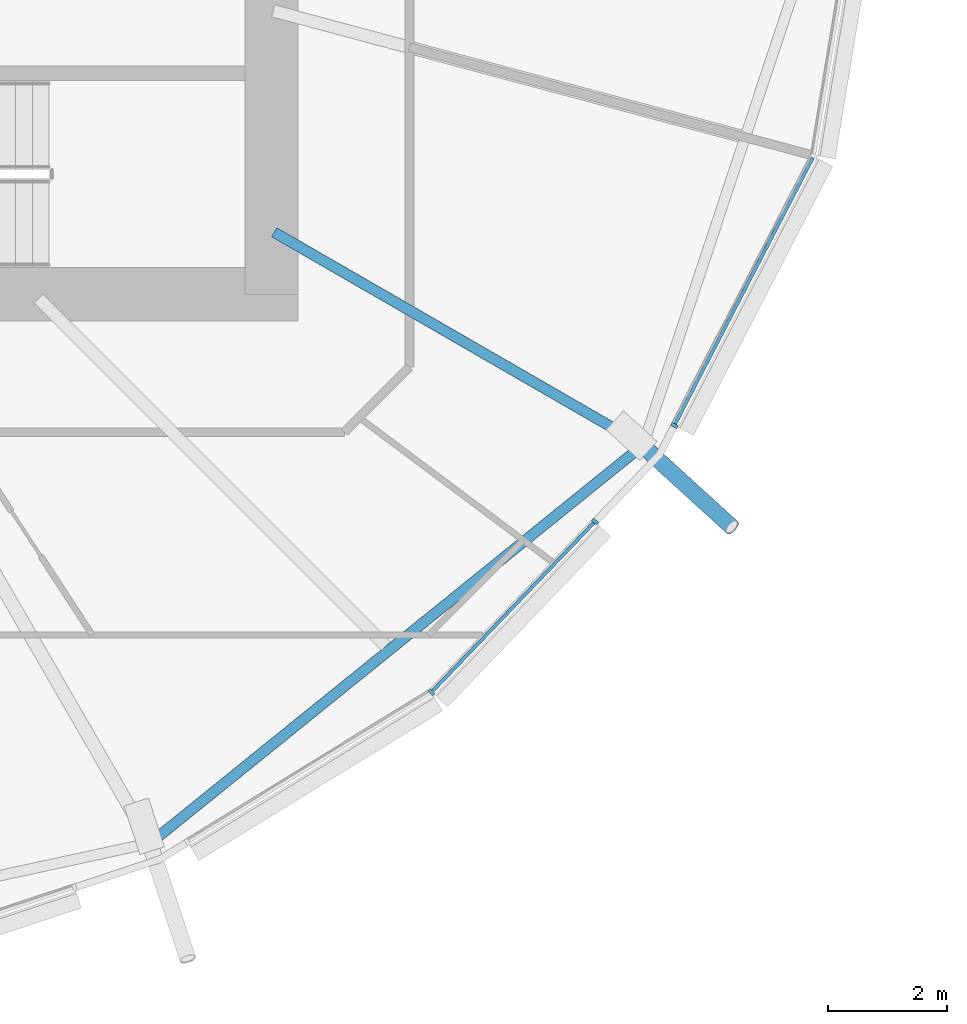
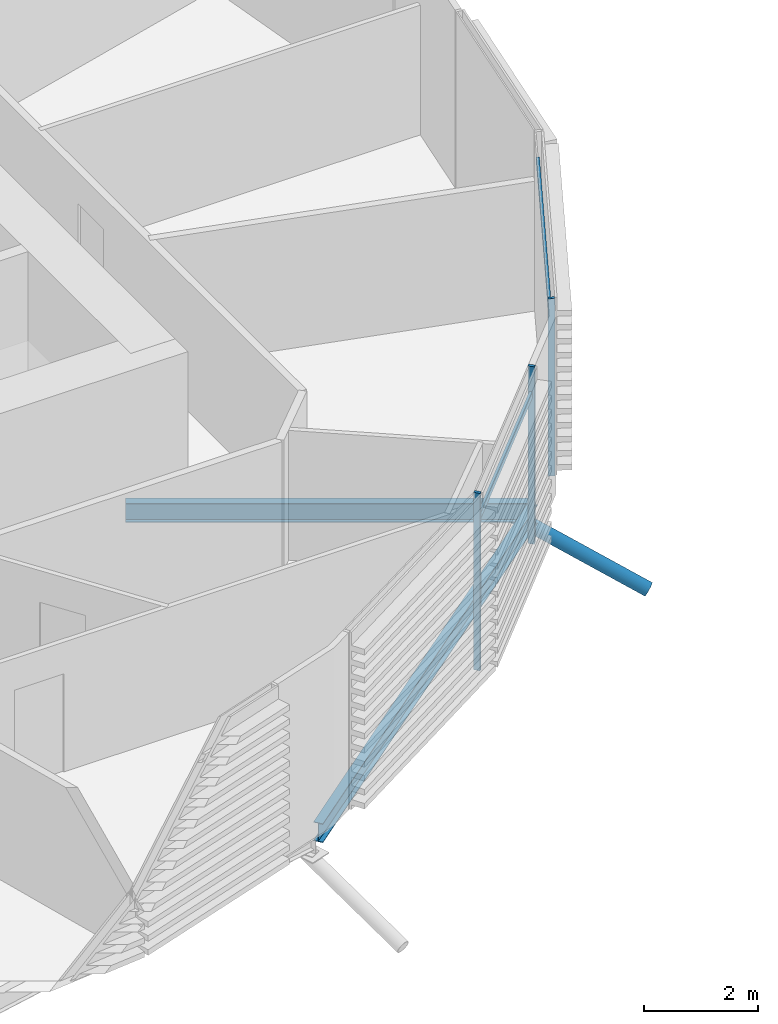
# One storey, part 6 of 36: 6 members, 2 beams, 1 element without a shape of its own.
"""IFC4 building model written with IfcOpenShell, lengths in metres."""

from ifc_helpers import new_model, si_unit, direction, frame, origin, origin_2d, place, context, subcontext, project, spatial, rectangle, hollow_circle, i_section, extrude, clip, halfspace, material, material_profile, profile_set, type_object, element, aggregate, save


model = new_model("IFC4")

# Units and contexts
model_context = context("Model", 3, precision=1e-05, world=origin(), true_north=direction((0.0, 1.0)))
body_context = subcontext(model_context, "Body", "Model", "MODEL_VIEW")
ifc_project = project(units=[si_unit("LENGTHUNIT", "METRE"), si_unit("AREAUNIT", "SQUARE_METRE"), si_unit("VOLUMEUNIT", "CUBIC_METRE"), si_unit("PLANEANGLEUNIT", "RADIAN"), si_unit("MASSUNIT", "GRAM", prefix="KILO")], contexts=[model_context])

# Site, building, storey
site_placement = place(None, origin())
site = spatial("IfcSite", under=ifc_project, at=site_placement, CompositionType="ELEMENT")
building_placement = place(site_placement, origin())
building = spatial("IfcBuilding", under=site, at=building_placement, Name="Rimbun Link Towers", CompositionType="ELEMENT")
storey_placement = place(building_placement, frame((0.0, 0.0, 33.800048828125)))
storey = spatial("IfcBuildingStorey", under=building, at=storey_placement, Name="L07", CompositionType="ELEMENT", Elevation=33.800048828125)

# Curtain wall, members
ifc_material_1 = material(Name="Aluminium 6063-T6 and low-iron glass", Category="aluminium")
curtain_wall_type = type_object("IfcCurtainWallType", Name="CW1 unitised vision wall", PredefinedType="NOTDEFINED", material=ifc_material_1)
curtain_wall_placement = place(storey_placement, origin())
curtain_wall = element("IfcCurtainWall", 1, at=curtain_wall_placement, inside=storey, type_object=curtain_wall_type, Name="CW1 L07 T1", PredefinedType="NOTDEFINED")
ifc_material_2 = material(Name="Aluminium 6063-T6", Category="aluminium")
ifc_material_profile_1 = material_profile(ifc_material_2, rectangle(XDim=0.1201171875, YDim=0.06005859375, at=origin_2d()), Name="MULLION 60X120")
ifc_profile_set_1 = profile_set([ifc_material_profile_1], Name="Aluminium 6063-T6")
member_type_1 = type_object("IfcMemberType", Name="CW1 mullion 60X120", PredefinedType="MULLION", material=ifc_profile_set_1)
member_1_placement = place(storey_placement, frame((-17.051513671875, -14.70751953125, 0.0), z_axis=(0.0, 0.0, 1.0), x_axis=(0.627666129139, -0.778482646134, 0.0)))
member_1 = element("IfcMember", 2, at=member_1_placement, type_object=member_type_1, Name="CW1 mullion", PredefinedType="MULLION", context=body_context, shape_type="SweptSolid", body=[
    extrude(rectangle(XDim=0.1201171875, YDim=0.06005859375, at=origin_2d()), origin(), (0.0, 0.0, 1.0), 3.800048828125),
])
member_2_placement = place(storey_placement, frame((-14.294677734375, -11.83251953125, 0.0), z_axis=(0.0, 0.0, 1.0), x_axis=(0.721844292424, -0.692055501744, 0.0)))
member_2 = element("IfcMember", 3, at=member_2_placement, type_object=member_type_1, Name="CW1 mullion", PredefinedType="MULLION", context=body_context, shape_type="SweptSolid", body=[
    extrude(rectangle(XDim=0.1201171875, YDim=0.06005859375, at=origin_2d()), origin(), (0.0, 0.0, 1.0), 3.800048828125),
])
member_3_placement = place(storey_placement, frame((-12.959228515625, -10.211181640625, 0.0), z_axis=(0.0, 0.0, 1.0), x_axis=(0.888152693678, -0.459548466118, 0.0)))
member_3 = element("IfcMember", 4, at=member_3_placement, type_object=member_type_1, Name="CW1 mullion", PredefinedType="MULLION", context=body_context, shape_type="SweptSolid", body=[
    extrude(rectangle(XDim=0.1201171875, YDim=0.06005859375, at=origin_2d()), origin(), (0.0, 0.0, 1.0), 3.800048828125),
])
ifc_material_3 = material(Name="Aluminium 6063-T6", Category="aluminium")
ifc_material_profile_2 = material_profile(ifc_material_3, rectangle(XDim=0.06005859375, YDim=0.1201171875, at=origin_2d()), Name="TRANSOM 60X120")
ifc_profile_set_2 = profile_set([ifc_material_profile_2], Name="Aluminium 6063-T6")
member_type_2 = type_object("IfcMemberType", Name="CW1 transom 60X120", PredefinedType="USERDEFINED", material=ifc_profile_set_2)
member_4_placement = place(storey_placement, frame((-14.31689453125, -11.852783203125, 3.199951171875), z_axis=(-0.692047546787, -0.721851919015, 0.0), x_axis=(0.721851919015, -0.692047546787, 0.0)))
member_4 = element("IfcMember", 5, at=member_4_placement, type_object=member_type_2, Name="CW1 transom", ObjectType="TRANSOM", PredefinedType="USERDEFINED", context=body_context, shape_type="SweptSolid", body=[
    extrude(rectangle(XDim=0.06005859375, YDim=0.1201171875, at=origin_2d()), origin(), (0.0, 0.0, 1.0), 3.91552734375),
])
member_5_placement = place(storey_placement, frame((-10.628662109375, -5.70263671875, 3.199951171875), z_axis=(-0.459538755132, -0.888157718275, 0.0), x_axis=(0.888157718275, -0.459538755132, 0.0)))
member_5 = element("IfcMember", 6, at=member_5_placement, type_object=member_type_2, Name="CW1 transom", ObjectType="TRANSOM", PredefinedType="USERDEFINED", context=body_context, shape_type="SweptSolid", body=[
    extrude(rectangle(XDim=0.06005859375, YDim=0.1201171875, at=origin_2d()), origin(), (0.0, 0.0, 1.0), 5.04541015625),
])
aggregate(curtain_wall, [member_1, member_2, member_3, member_4, member_5])

# Member
ifc_material_4 = material(Name="Steel S355J2H", Category="steel")
ifc_material_profile_3 = material_profile(ifc_material_4, hollow_circle(Radius=0.136474609375, WallThickness=0.012451171875, at=origin_2d()), Name="CHS 273x12.5")
ifc_profile_set_3 = profile_set([ifc_material_profile_3], Name="Steel S355J2H")
member_type_3 = type_object("IfcMemberType", Name="Floor edge link CHS 273x12.5", PredefinedType="BRACE", material=ifc_profile_set_3)
member_6_placement = place(storey_placement, frame((-13.531494140625, -10.5185546875, -0.68798828125), z_axis=(0.660195703529, -0.601747375649, -0.449490521527), x_axis=(0.673634179284, 0.739064944711, 0.0)))
element("IfcMember", 7, at=member_6_placement, inside=storey, type_object=member_type_3, Name="Floor edge link T1 L07 22", PredefinedType="BRACE", context=body_context, shape_type="Clipping", body=[
    clip(extrude(hollow_circle(Radius=0.136474609375, WallThickness=0.012451171875, at=origin_2d()), frame((0.0, 0.0, -0.56494140625)), (0.0, 0.0, 1.0), 2.912353515625), halfspace(frame((0.0, 0.0, -0.265869140625), z_axis=(0.0, 0.893285100658, -0.449490521527)), False)),
])

# Beams
ifc_material_5 = material(Name="Steel S355J2", Category="steel")
ifc_material_profile_4 = material_profile(ifc_material_5, i_section(OverallWidth=0.177978515625, OverallDepth=0.406494140625, WebThickness=0.0078125, FlangeThickness=0.0126953125, at=origin_2d()), Name="UB 406x178x60")
ifc_profile_set_4 = profile_set([ifc_material_profile_4], Name="Steel S355J2")
beam_type = type_object("IfcBeamType", Name="UB 406x178x60", PredefinedType="BEAM", material=ifc_profile_set_4)
beam_1_placement = place(storey_placement, frame((-19.70458984375, -6.954345703125, -0.36328125), z_axis=(0.866026433283, -0.499998216852, 0.0), x_axis=(0.499998216852, 0.866026433283, 0.0)))
element("IfcBeam", 8, at=beam_1_placement, inside=storey, type_object=beam_type, Name="Radial beam T1 L07 22", PredefinedType="BEAM", context=body_context, shape_type="SweptSolid", body=[
    extrude(i_section(OverallWidth=0.177978515625, OverallDepth=0.406494140625, WebThickness=0.0078125, FlangeThickness=0.0126953125, at=origin_2d()), origin(), (0.0, 0.0, 1.0), 7.17822265625),
])
beam_2_placement = place(storey_placement, frame((-21.701171875, -17.175537109375, -0.36328125), z_axis=(0.778016648359, 0.628243658843, 0.0), x_axis=(-0.628243658843, 0.778016648359, 0.0)))
element("IfcBeam", 9, at=beam_2_placement, inside=storey, type_object=beam_type, Name="Edge beam T1 L07 20-22", PredefinedType="BEAM", context=body_context, shape_type="SweptSolid", body=[
    extrude(i_section(OverallWidth=0.177978515625, OverallDepth=0.406494140625, WebThickness=0.0078125, FlangeThickness=0.0126953125, at=origin_2d()), origin(), (0.0, 0.0, 1.0), 10.460205078125),
])

save(model, "model.ifc")
